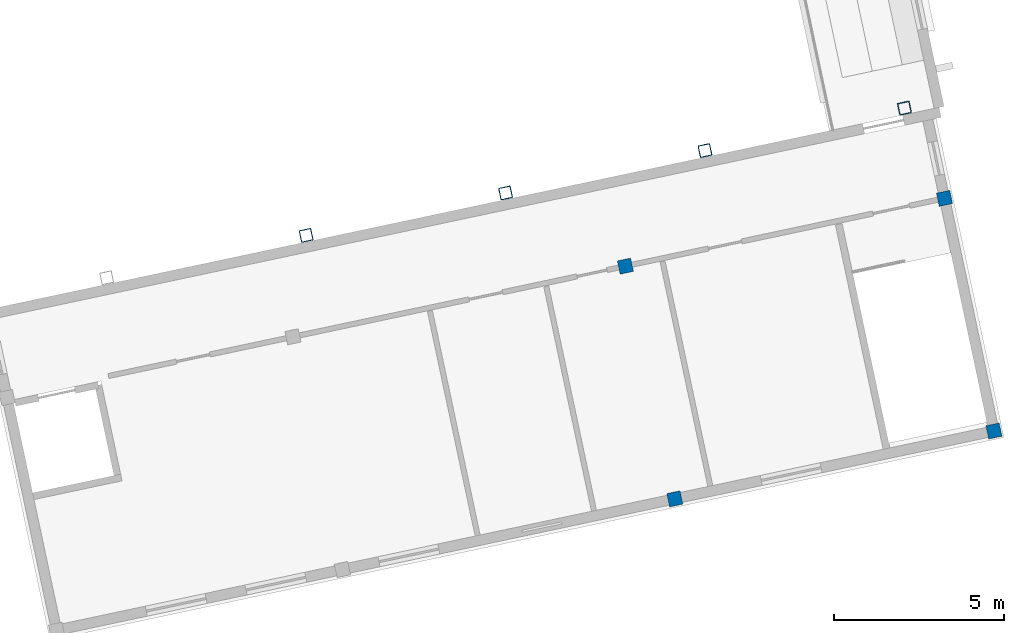
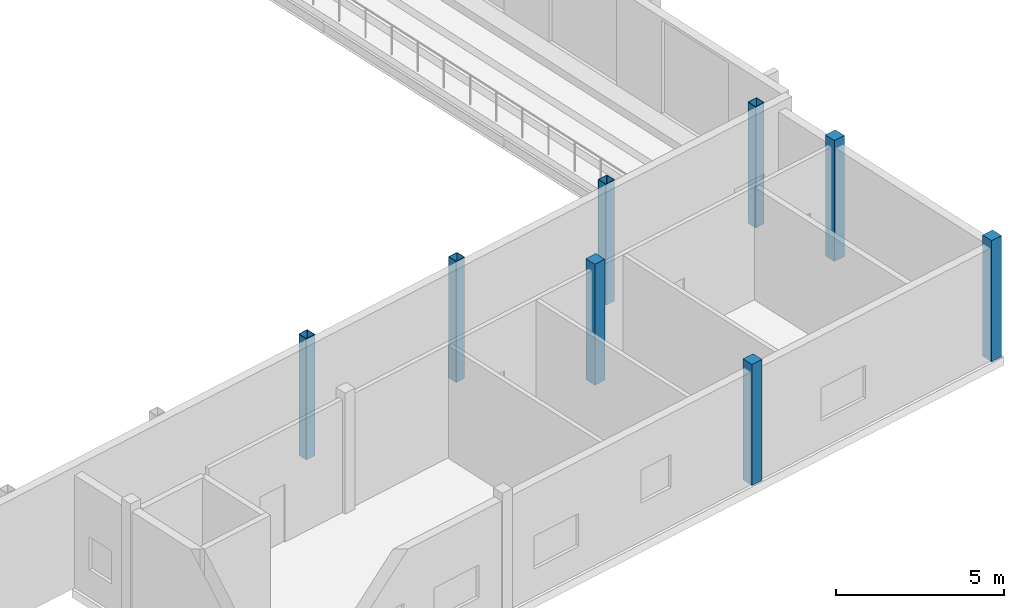
# One storey, part 22 of 115: 8 columns.
"""IFC4 building model written with IfcOpenShell, lengths in metres."""

import ifcopenshell
import ifcopenshell.guid

model = None  # the IFC model being written
_history = None  # IfcOwnerHistory: only IFC2X3 demands one
_inside = {}  # id of a spatial element -> (the spatial element, [elements in it])
_under = {}  # id of a project, library or spatial element -> (it, [spatial elements below it])
_declared = {}  # id of a project -> (the project, [libraries it declares])
_typed = {}  # id of a type object -> (the type object, [elements of that type])
_made_of = {}  # id of a material, layer set ... -> (it, [elements and type objects made of it])


def new_model(schema):
    """Start an empty IFC model of exactly this schema.

    Asked for "IFC4X3", IfcOpenShell would pick the latest addendum, in which some entities
    have other attributes; the version numbers below select the first issue.
    IFC2X3 requires an IfcOwnerHistory on every rooted entity: one is made here for all.
    """
    global model, _history
    if schema == "IFC4X3":
        model = ifcopenshell.file(schema_version=(4, 3, 0, 0))
    else:
        model = ifcopenshell.file(schema=schema)
    _inside.clear()
    _under.clear()
    _declared.clear()
    _typed.clear()
    _made_of.clear()
    _history = None
    if model.schema == "IFC2X3":
        org = make("IfcOrganization", Name="unknown")
        user = make(
            "IfcPersonAndOrganization",
            ThePerson=make("IfcPerson", FamilyName="unknown"),
            TheOrganization=org,
        )
        app = make(
            "IfcApplication",
            ApplicationDeveloper=org,
            Version="unknown",
            ApplicationFullName="unknown",
            ApplicationIdentifier="unknown",
        )
        _history = make(
            "IfcOwnerHistory",
            OwningUser=user,
            OwningApplication=app,
            ChangeAction="ADDED",
            CreationDate=0,
        )
    return model


def make(cls, **values):
    """One entity of the class cls with the attributes given. An attribute that is None is left unset."""
    return model.create_entity(
        cls, **{name: value for name, value in values.items() if value is not None}
    )


def rooted(cls, **values):
    """An entity with a GlobalId (a new one), such as an element, a storey or a relation."""
    return make(cls, GlobalId=ifcopenshell.guid.new(), OwnerHistory=_history, **values)


def si_unit(unit_type, name, prefix=None):
    """IfcSIUnit, for example si_unit("LENGTHUNIT", "METRE", prefix="MILLI")."""
    return make("IfcSIUnit", UnitType=unit_type, Prefix=prefix, Name=name)


def assignment(units):
    """IfcUnitAssignment: the units of a project."""
    return None if units is None else make("IfcUnitAssignment", Units=units)


def point(xyz):
    """IfcCartesianPoint."""
    return None if xyz is None else make("IfcCartesianPoint", Coordinates=xyz)


def direction(xyz):
    """IfcDirection."""
    return None if xyz is None else make("IfcDirection", DirectionRatios=xyz)


def frame(location, z_axis=None, x_axis=None):
    """IfcAxis2Placement3D, a coordinate frame: its origin and axes. An axis left out is left unset."""
    return make(
        "IfcAxis2Placement3D",
        Location=point(location),
        Axis=direction(z_axis),
        RefDirection=direction(x_axis),
    )


def frame_2d(location, x_axis=None):
    """IfcAxis2Placement2D, a coordinate frame in the plane: its origin and x axis."""
    return make(
        "IfcAxis2Placement2D", Location=point(location), RefDirection=direction(x_axis)
    )


def origin():
    """The frame at (0, 0, 0) with its axes left unset."""
    return frame((0.0, 0.0, 0.0))


def origin_2d():
    """The frame at (0, 0) in the plane with its x axis left unset."""
    return frame_2d((0.0, 0.0))


def place(relative_to, where):
    """IfcLocalPlacement: puts the frame where relative to a parent placement (None: the world)."""
    return make(
        "IfcLocalPlacement", PlacementRelTo=relative_to, RelativePlacement=where
    )


def context(
    kind, dimensions, precision=None, world=None, true_north=None, identifier=None
):
    """IfcGeometricRepresentationContext, for example the 3D "Model" context."""
    return make(
        "IfcGeometricRepresentationContext",
        ContextIdentifier=identifier,
        ContextType=kind,
        CoordinateSpaceDimension=dimensions,
        Precision=precision,
        WorldCoordinateSystem=world,
        TrueNorth=true_north,
    )


def subcontext(parent, identifier, kind, view, scale=None):
    """IfcGeometricRepresentationSubContext, for example "Body" below "Model"."""
    return make(
        "IfcGeometricRepresentationSubContext",
        ContextIdentifier=identifier,
        ContextType=kind,
        ParentContext=parent,
        TargetScale=scale,
        TargetView=view,
    )


def project(units=None, contexts=None):
    """IfcProject with its units and contexts."""
    return rooted(
        "IfcProject",
        Name="project",
        RepresentationContexts=contexts,
        UnitsInContext=assignment(units),
    )


def spatial(cls, under=None, at=None, **own):
    """A site, building, storey or space (cls), placed at a placement, below another one or the project."""
    s = rooted(cls, ObjectPlacement=at, **own)
    if under is not None:
        _under.setdefault(under.id(), (under, []))[1].append(s)
    return s


def profile(cls, at=None, kind="AREA", **sizes):
    """A parametric profile (cls). Its sizes go by their IFC names, for example OverallWidth=200.0."""
    return make(cls, ProfileType=kind, Position=at, **sizes)


def rectangle(**sizes):
    """IfcRectangleProfileDef."""
    return profile("IfcRectangleProfileDef", **sizes)


def hollow_rectangle(**sizes):
    """IfcRectangleHollowProfileDef."""
    return profile("IfcRectangleHollowProfileDef", **sizes)


def extrude(swept, where, along, depth):
    """IfcExtrudedAreaSolid: the profile swept, set in the frame where, extruded along a direction by depth."""
    return make(
        "IfcExtrudedAreaSolid",
        SweptArea=swept,
        Position=where,
        ExtrudedDirection=direction(along),
        Depth=depth,
    )


def shape(context_of_items, identifier, shape_type, items):
    """IfcShapeRepresentation: the items that make up one representation, for example the "Body"."""
    return make(
        "IfcShapeRepresentation",
        ContextOfItems=context_of_items,
        RepresentationIdentifier=identifier,
        RepresentationType=shape_type,
        Items=items,
    )


def material(Name=None, Category=None):
    """IfcMaterial."""
    return make("IfcMaterial", Name=Name, Category=Category)


def material_profile(
    of_material, cross_section, Name=None, Category=None, Priority=None
):
    """IfcMaterialProfile: a cross section and its material."""
    return make(
        "IfcMaterialProfile",
        Name=Name,
        Material=of_material,
        Profile=cross_section,
        Priority=Priority,
        Category=Category,
    )


def profile_set(profiles, Name=None, composite=None):
    """IfcMaterialProfileSet."""
    return make(
        "IfcMaterialProfileSet",
        Name=Name,
        MaterialProfiles=profiles,
        CompositeProfile=composite,
    )


def made_of(thing, what):
    """Note that an element or type object is made of a material, layer set ...; save() writes the relation."""
    if what is not None:
        _made_of.setdefault(what.id(), (what, []))[1].append(thing)
    return thing


def type_object(cls, material=None, **own):
    """A type object (cls), such as IfcWallType, which elements share."""
    return made_of(rooted(cls, **own), material)


def element(
    cls,
    number,
    at=None,
    inside=None,
    cuts=None,
    type_object=None,
    material=None,
    context=None,
    identifier="Body",
    shape_type=None,
    held_by="IfcProductDefinitionShape",
    body=None,
    shapes=None,
    **own,
):
    """One element of the class cls, such as IfcWall. Its Tag is "e" and its number.

    at: its placement. inside: the storey or other place that contains it. cuts: it is an
    opening in that element (IfcRelVoidsElement). A single representation is given by context,
    identifier, shape_type and body (its items); several are given by shapes. held_by: the class
    of the entity that holds the representations. save() writes the other relations.
    """
    e = rooted(cls, Tag="e%d" % number, ObjectPlacement=at, **own)
    if body is not None:
        shapes = [shape(context, identifier, shape_type, body)]
    if shapes is not None:
        e.Representation = make(held_by, Representations=shapes)
    if inside is not None:
        _inside.setdefault(inside.id(), (inside, []))[1].append(e)
    if cuts is not None:
        rooted(
            "IfcRelVoidsElement", RelatingBuildingElement=cuts, RelatedOpeningElement=e
        )
    if type_object is not None:
        _typed.setdefault(type_object.id(), (type_object, []))[1].append(e)
    return made_of(e, material)


def aggregate(whole, parts):
    """IfcRelAggregates: a whole, such as a stair, and the parts it consists of."""
    return rooted("IfcRelAggregates", RelatingObject=whole, RelatedObjects=parts)


def save(model, path):
    """Write the relations noted so far, then the file.

    IfcRelAggregates (storeys below a building ...), IfcRelContainedInSpatialStructure (elements
    in a storey), IfcRelDefinesByType, IfcRelAssociatesMaterial and IfcRelDeclares: one each for
    every whole, place, type object, material and project.
    """
    for whole, parts in _under.values():
        aggregate(whole, parts)
    for where, things in _inside.values():
        rooted(
            "IfcRelContainedInSpatialStructure",
            RelatedElements=things,
            RelatingStructure=where,
        )
    for kind, things in _typed.values():
        rooted("IfcRelDefinesByType", RelatedObjects=things, RelatingType=kind)
    for what, things in _made_of.values():
        rooted("IfcRelAssociatesMaterial", RelatedObjects=things, RelatingMaterial=what)
    for by, libraries in _declared.values():
        rooted("IfcRelDeclares", RelatingContext=by, RelatedDefinitions=libraries)
    model.write(path)


model = new_model("IFC4")

# Units and contexts
model_context = context("Model", 3, precision=1e-05, world=origin(), true_north=direction((0.0, 1.0)))
body_context = subcontext(model_context, "Body", "Model", "MODEL_VIEW")
ifc_project = project(units=[si_unit("LENGTHUNIT", "METRE"), si_unit("AREAUNIT", "SQUARE_METRE"), si_unit("VOLUMEUNIT", "CUBIC_METRE"), si_unit("PLANEANGLEUNIT", "RADIAN"), si_unit("MASSUNIT", "GRAM", prefix="KILO")], contexts=[model_context])

# Site, building, storey
site_placement = place(None, origin())
site = spatial("IfcSite", under=ifc_project, at=site_placement, CompositionType="ELEMENT")
building_placement = place(site_placement, origin())
building = spatial("IfcBuilding", under=site, at=building_placement, Name="Windward Yard Aquatics Centre", CompositionType="ELEMENT")
storey_placement = place(building_placement, frame((0.0, 0.0, 5.0)))
storey = spatial("IfcBuildingStorey", under=building, at=storey_placement, Name="L01", CompositionType="ELEMENT", Elevation=5.0)

# Columns
ifc_material_1 = material(Name="Steel ASTM A500 Gr C", Category="steel")
ifc_material_profile_1 = material_profile(ifc_material_1, hollow_rectangle(XDim=0.355712890625, YDim=0.355712890625, WallThickness=0.015869140625, InnerFilletRadius=0.008056640625, OuterFilletRadius=0.02392578125, at=origin_2d()), Name="HSS356X356X15.9")
ifc_profile_set_1 = profile_set([ifc_material_profile_1], Name="Steel ASTM A500 Gr C")
column_type_1 = type_object("IfcColumnType", Name="D column HSS356X356X15.9", PredefinedType="COLUMN", material=ifc_profile_set_1)
for number, where, z_axis, x_axis, name in (
    (1, (181.4638671875, 45.7041015625, 0.0), (0.0, 0.0, 1.0), (0.978147600734, 0.207911690818, 0.0), "D.COL.4.1.3"),
    (2, (187.332763671875, 46.951416015625, 0.0), (0.0, 0.0, 1.0), (0.978147600734, 0.207911690818, 0.0), "D.COL.5.1.3"),
    (3, (193.20166015625, 48.198974609375, 0.0), (0.0, 0.0, 1.0), (0.978147600734, 0.207911690818, 0.0), "D.COL.6.1.3"),
    (4, (199.070556640625, 49.446533203125, 0.0), (0.0, 0.0, 1.0), (0.978147600734, 0.207911690818, 0.0), "D.COL.7.1.3"),
):
    element("IfcColumn", number, at=place(storey_placement, frame(where, z_axis=z_axis, x_axis=x_axis)), inside=storey, type_object=column_type_1, Name=name, PredefinedType="COLUMN", context=body_context, shape_type="SweptSolid", body=[
        extrude(hollow_rectangle(XDim=0.355712890625, YDim=0.355712890625, WallThickness=0.015869140625, InnerFilletRadius=0.008056640625, OuterFilletRadius=0.02392578125, at=origin_2d()), origin(), (0.0, 0.0, 1.0), 4.39990234375),
    ])
ifc_material_2 = material(Name="Concrete C35/45", Category="concrete")
ifc_material_profile_2 = material_profile(ifc_material_2, rectangle(XDim=0.39990234375, YDim=0.39990234375, at=origin_2d()), Name="RC 400X400")
ifc_profile_set_2 = profile_set([ifc_material_profile_2], Name="Concrete C35/45")
column_type_2 = type_object("IfcColumnType", Name="D column RC 400X400", PredefinedType="COLUMN", material=ifc_profile_set_2)
for number, where, z_axis, x_axis, name in (
    (5, (192.31298828125, 37.9501953125, 0.0), (0.0, 0.0, 1.0), (0.978147600734, 0.207911690818, 0.0), "D.COL.L01.3.1"),
    (6, (190.857666015625, 44.79736328125, 0.0), (0.0, 0.0, 1.0), (0.978147600734, 0.207911690818, 0.0), "D.COL.L01.3.2"),
    (7, (201.703125, 39.9462890625, 0.0), (0.0, 0.0, 1.0), (0.978147600734, 0.207911690818, 0.0), "D.COL.L01.4.1"),
    (8, (200.247802734375, 46.793212890625, 0.0), (0.0, 0.0, 1.0), (0.978147600734, 0.207911690818, 0.0), "D.COL.L01.4.2"),
):
    element("IfcColumn", number, at=place(storey_placement, frame(where, z_axis=z_axis, x_axis=x_axis)), inside=storey, type_object=column_type_2, Name=name, PredefinedType="COLUMN", context=body_context, shape_type="SweptSolid", body=[
        extrude(rectangle(XDim=0.39990234375, YDim=0.39990234375, at=origin_2d()), origin(), (0.0, 0.0, 1.0), 4.39990234375),
    ])

save(model, "model.ifc")
